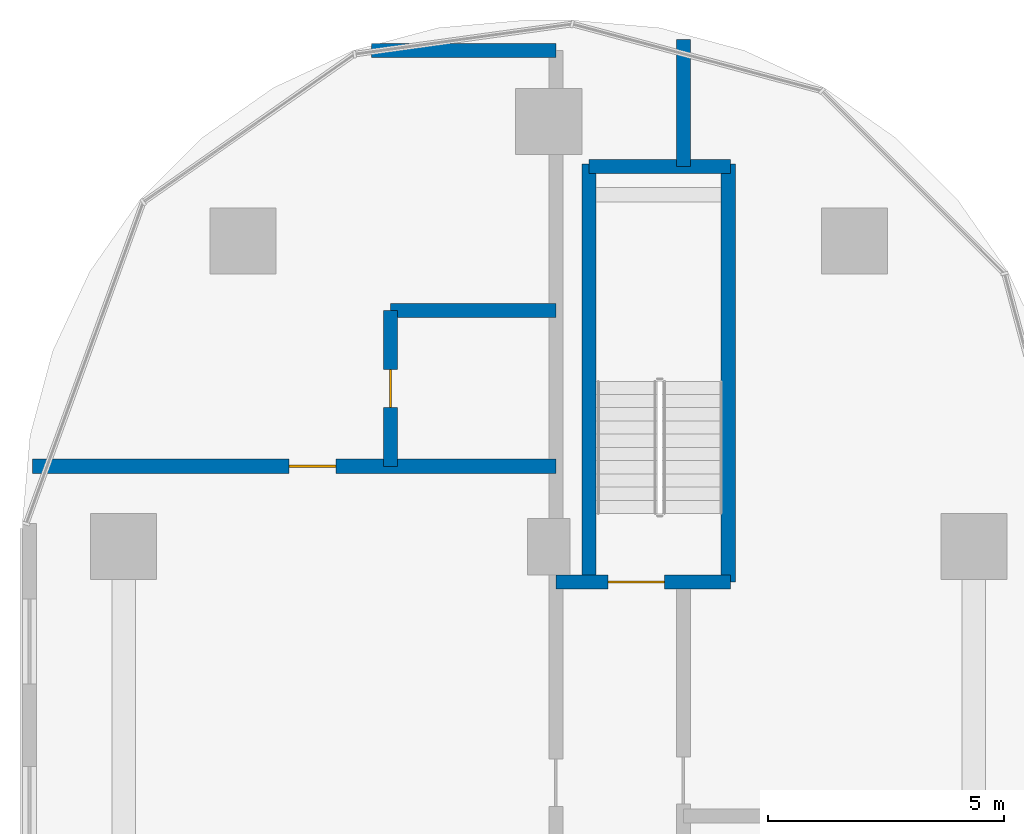
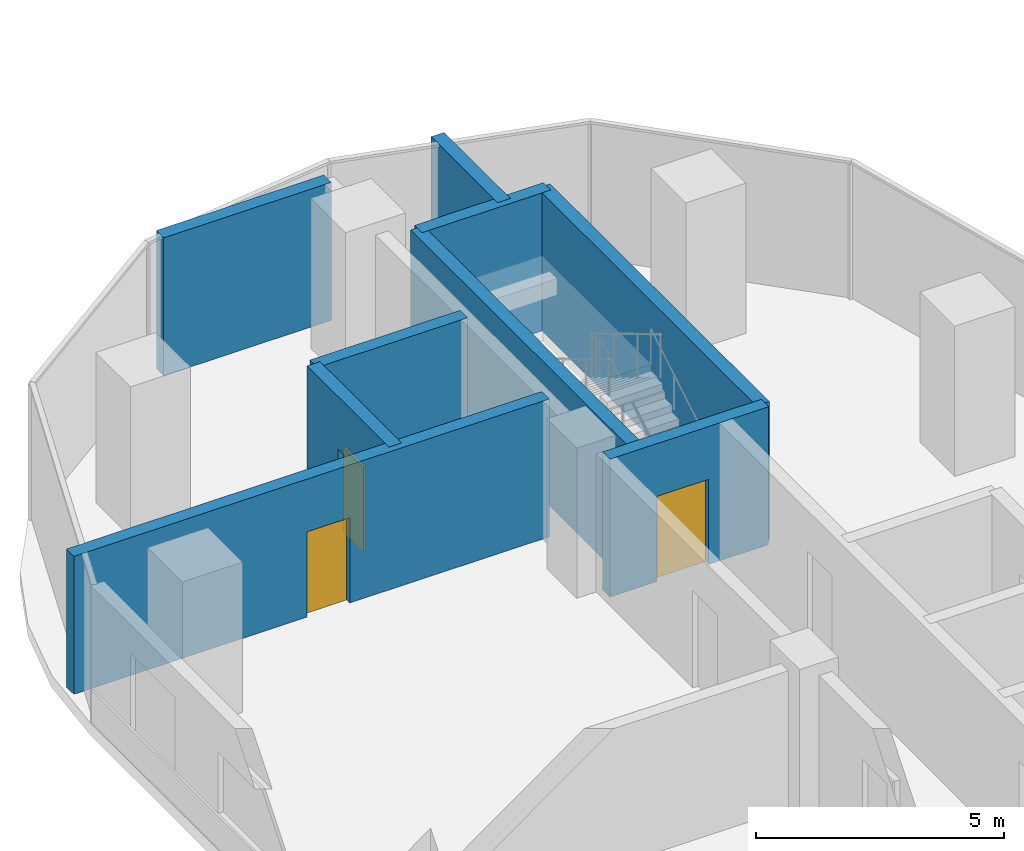
# One storey, part 20 of 32: 9 walls, 3 doors, 3 openings.
"""IFC4 building model written with IfcOpenShell, lengths in metres."""

from ifc_helpers import new_model, si_unit, direction, frame, frame_2d, origin, place, context, subcontext, project, spatial, rectangle, extrude, material, layer, layer_set, type_object, element, fill, save


model = new_model("IFC4")

# Units and contexts
model_context = context("Model", 3, precision=1e-05, world=origin(), true_north=direction((0.0, 1.0)))
body_context = subcontext(model_context, "Body", "Model", "MODEL_VIEW")
ifc_project = project(units=[si_unit("LENGTHUNIT", "METRE"), si_unit("AREAUNIT", "SQUARE_METRE"), si_unit("VOLUMEUNIT", "CUBIC_METRE"), si_unit("PLANEANGLEUNIT", "RADIAN"), si_unit("MASSUNIT", "GRAM", prefix="KILO")], contexts=[model_context])

# Site, building, storey
site_placement = place(None, origin())
site = spatial("IfcSite", under=ifc_project, at=site_placement, CompositionType="ELEMENT")
building_placement = place(site_placement, origin())
building = spatial("IfcBuilding", under=site, at=building_placement, Name="Ogive Portal Towers", CompositionType="ELEMENT")
storey_placement = place(building_placement, frame((0.0, 0.0, 55.699951171875)))
storey = spatial("IfcBuildingStorey", under=building, at=storey_placement, Name="L12", CompositionType="ELEMENT", Elevation=55.699951171875)

# Wall, opening, door
ifc_material_1 = material(Name="Concrete C50/60", Category="concrete")
ifc_layer_1 = layer(ifc_material_1, 0.300048828125)
ifc_layer_set_1 = layer_set([ifc_layer_1], Name="STAIR WALL 300 C50")
wall_type_1 = type_object("IfcWallType", Name="STAIR WALL 300 C50", PredefinedType="SHEAR", material=ifc_layer_set_1)
wall_1_placement = place(storey_placement, frame((40.64990234375, 65.75, 0.0), z_axis=(0.0, 0.0, 1.0), x_axis=(1.0, 0.0, 0.0)))
wall_1 = element("IfcWall", 1, at=wall_1_placement, inside=storey, type_object=wall_type_1, Name="Stair wall ST-A3 L12", PredefinedType="SHEAR", context=body_context, shape_type="SweptSolid", body=[
    extrude(rectangle(XDim=3.7001953125, YDim=0.300048828125, at=frame_2d((1.85009765625, 0.0))), origin(), (0.0, 0.0, 1.0), 3.400146484375),
])
opening_1_placement = place(wall_1_placement, frame((1.10009765625, 0.0, 0.0)))
opening_1 = element("IfcOpeningElement", 2, at=opening_1_placement, cuts=wall_1, Name="Opening D03-062", PredefinedType="OPENING", context=body_context, shape_type="SweptSolid", body=[
    extrude(rectangle(XDim=1.199951171875, YDim=2.10009765625, at=frame_2d((0.60009765625, 1.050048828125))), frame((0.0, 0.16015625, 0.0), z_axis=(0.0, -1.0, 0.0), x_axis=(1.0, 0.0, 0.0)), (0.0, 0.0, 1.0), 0.320068359375),
])
ifc_material_2 = material(Name="Steel fire door", Category="steel")
door_type_1 = type_object("IfcDoorType", Name="DT-STAIR-1200x2100-FD90S", OperationType="SINGLE_SWING_LEFT", PredefinedType="DOOR", material=ifc_material_2)
door_1_placement = place(opening_1_placement, origin())
door_1 = element("IfcDoor", 3, at=door_1_placement, inside=storey, type_object=door_type_1, Name="Door D03-062", OperationType="SINGLE_SWING_RIGHT", OverallHeight=2.10009765625, OverallWidth=1.199951171875, PredefinedType="DOOR", context=body_context, shape_type="SweptSolid", body=[
    extrude(rectangle(XDim=1.199951171875, YDim=2.10009765625, at=frame_2d((0.60009765625, 1.050048828125))), frame((0.0, 0.02490234375, 0.0), z_axis=(0.0, -1.0, 0.0), x_axis=(1.0, 0.0, 0.0)), (0.0, 0.0, 1.0), 0.050048828125),
])
fill(opening_1, door_1)

# Walls
wall_2_placement = place(storey_placement, frame((41.35009765625, 74.550048828125, 0.0), z_axis=(0.0, 0.0, 1.0), x_axis=(1.0, 0.0, 0.0)))
element("IfcWall", 4, at=wall_2_placement, inside=storey, type_object=wall_type_1, Name="Stair wall ST-A3 L12", PredefinedType="SHEAR", context=body_context, shape_type="SweptSolid", body=[
    extrude(rectangle(XDim=3.0, YDim=0.300048828125, at=frame_2d((1.5, 0.0))), origin(), (0.0, 0.0, 1.0), 3.400146484375),
])
for number, where, z_axis, x_axis, name in (
    (5, (41.35009765625, 65.75, 0.0), (0.0, 0.0, 1.0), (0.0, 1.0, 0.0), "Stair wall ST-A3 L12"),
    (6, (44.300048828125, 65.75, 0.0), (0.0, 0.0, 1.0), (0.0, 1.0, 0.0), "Stair wall ST-A3 L12"),
):
    element("IfcWall", number, at=place(storey_placement, frame(where, z_axis=z_axis, x_axis=x_axis)), inside=storey, type_object=wall_type_1, Name=name, PredefinedType="SHEAR", context=body_context, shape_type="SweptSolid", body=[
        extrude(rectangle(XDim=8.85009765625, YDim=0.300048828125, at=frame_2d((4.425048828125, 0.0))), origin(), (0.0, 0.0, 1.0), 3.400146484375),
    ])

# Wall, opening, door
ifc_material_3 = material(Name="Gypsum board partition on steel studs", Category="steel")
ifc_layer_2 = layer(ifc_material_3, 0.300048828125)
ifc_layer_set_2 = layer_set([ifc_layer_2], Name="WT-PART-300-EI 60")
wall_type_2 = type_object("IfcWallType", Name="WT-PART-300-EI 60", PredefinedType="PARTITIONING", material=ifc_layer_set_2)
wall_3_placement = place(storey_placement, frame((29.570068359375, 68.199951171875, 0.0), z_axis=(0.0, 0.0, 1.0), x_axis=(1.0, 0.0, 0.0)))
wall_3 = element("IfcWall", 7, at=wall_3_placement, inside=storey, type_object=wall_type_2, Name="Wall L12:w027", PredefinedType="PARTITIONING", context=body_context, shape_type="SweptSolid", body=[
    extrude(rectangle(XDim=11.079833984375, YDim=0.300048828125, at=frame_2d((5.5400390625, 0.0))), origin(), (0.0, 0.0, 1.0), 3.400146484375),
])
opening_2_placement = place(wall_3_placement, frame((5.429931640625, 0.0, 0.0)))
opening_2 = element("IfcOpeningElement", 8, at=opening_2_placement, cuts=wall_3, Name="Opening D03-056", PredefinedType="OPENING", context=body_context, shape_type="SweptSolid", body=[
    extrude(rectangle(XDim=1.0, YDim=2.10009765625, at=frame_2d((0.5, 1.050048828125))), frame((0.0, 0.16015625, 0.0), z_axis=(0.0, -1.0, 0.0), x_axis=(1.0, 0.0, 0.0)), (0.0, 0.0, 1.0), 0.320068359375),
])
door_type_2 = type_object("IfcDoorType", Name="DT-ENTRY-1000x2100-FD60S", OperationType="SINGLE_SWING_LEFT", PredefinedType="DOOR", material=ifc_material_2)
door_2_placement = place(opening_2_placement, origin())
door_2 = element("IfcDoor", 9, at=door_2_placement, inside=storey, type_object=door_type_2, Name="Door D03-056", OperationType="SINGLE_SWING_LEFT", OverallHeight=2.10009765625, OverallWidth=1.0, PredefinedType="DOOR", context=body_context, shape_type="SweptSolid", body=[
    extrude(rectangle(XDim=1.0, YDim=2.10009765625, at=frame_2d((0.5, 1.050048828125))), frame((0.0, 0.02490234375, 0.0), z_axis=(0.0, -1.0, 0.0), x_axis=(1.0, 0.0, 0.0)), (0.0, 0.0, 1.0), 0.050048828125),
])
fill(opening_2, door_2)

# Walls
wall_4_placement = place(storey_placement, frame((37.14990234375, 71.5, 0.0), z_axis=(0.0, 0.0, 1.0), x_axis=(1.0, 0.0, 0.0)))
element("IfcWall", 10, at=wall_4_placement, inside=storey, type_object=wall_type_2, Name="Wall L12:w028", PredefinedType="PARTITIONING", context=body_context, shape_type="SweptSolid", body=[
    extrude(rectangle(XDim=3.5, YDim=0.300048828125, at=frame_2d((1.75, 0.0))), origin(), (0.0, 0.0, 1.0), 3.400146484375),
])
wall_5_placement = place(storey_placement, frame((36.743896484375, 77.0, 0.0), z_axis=(0.0, 0.0, 1.0), x_axis=(1.0, 0.0, 0.0)))
element("IfcWall", 11, at=wall_5_placement, inside=storey, type_object=wall_type_2, Name="Wall L12:w030", PredefinedType="PARTITIONING", context=body_context, shape_type="SweptSolid", body=[
    extrude(rectangle(XDim=3.906005859375, YDim=0.300048828125, at=frame_2d((1.953125, 0.0))), origin(), (0.0, 0.0, 1.0), 3.400146484375),
])

# Wall, opening, door
wall_6_placement = place(storey_placement, frame((37.14990234375, 68.199951171875, 0.0), z_axis=(0.0, 0.0, 1.0), x_axis=(0.0, 1.0, 0.0)))
wall_6 = element("IfcWall", 12, at=wall_6_placement, inside=storey, type_object=wall_type_2, Name="Wall L12:w032", PredefinedType="PARTITIONING", context=body_context, shape_type="SweptSolid", body=[
    extrude(rectangle(XDim=3.300048828125, YDim=0.300048828125, at=frame_2d((1.64990234375, 0.0))), origin(), (0.0, 0.0, 1.0), 3.400146484375),
])
opening_3_placement = place(wall_6_placement, frame((1.25, 0.0, 0.0)))
opening_3 = element("IfcOpeningElement", 13, at=opening_3_placement, cuts=wall_6, Name="Opening D03-057", PredefinedType="OPENING", context=body_context, shape_type="SweptSolid", body=[
    extrude(rectangle(XDim=0.800048828125, YDim=2.10009765625, at=frame_2d((0.39990234375, 1.050048828125))), frame((0.0, 0.16015625, 0.0), z_axis=(0.0, -1.0, 0.0), x_axis=(1.0, 0.0, 0.0)), (0.0, 0.0, 1.0), 0.320068359375),
])
door_type_3 = type_object("IfcDoorType", Name="DT-BATH-800x2100-FD60S", OperationType="SINGLE_SWING_LEFT", PredefinedType="DOOR", material=ifc_material_2)
door_3_placement = place(opening_3_placement, origin())
door_3 = element("IfcDoor", 14, at=door_3_placement, inside=storey, type_object=door_type_3, Name="Door D03-057", OperationType="SINGLE_SWING_LEFT", OverallHeight=2.10009765625, OverallWidth=0.800048828125, PredefinedType="DOOR", context=body_context, shape_type="SweptSolid", body=[
    extrude(rectangle(XDim=0.800048828125, YDim=2.10009765625, at=frame_2d((0.39990234375, 1.050048828125))), frame((0.0, 0.02490234375, 0.0), z_axis=(0.0, -1.0, 0.0), x_axis=(1.0, 0.0, 0.0)), (0.0, 0.0, 1.0), 0.050048828125),
])
fill(opening_3, door_3)

# Wall
ifc_material_4 = material(Name="Concrete C40/50", Category="concrete")
ifc_layer_3 = layer(ifc_material_4, 0.300048828125)
ifc_layer_set_3 = layer_set([ifc_layer_3], Name="WT-SHAFT-300")
wall_type_3 = type_object("IfcWallType", Name="WT-SHAFT-300", PredefinedType="SOLIDWALL", material=ifc_layer_set_3)
wall_7_placement = place(storey_placement, frame((43.35009765625, 74.550048828125, 0.0), z_axis=(0.0, 0.0, 1.0), x_axis=(0.0, 1.0, 0.0)))
element("IfcWall", 15, at=wall_7_placement, inside=storey, type_object=wall_type_3, Name="Wall L12:w036", PredefinedType="SOLIDWALL", context=body_context, shape_type="SweptSolid", body=[
    extrude(rectangle(XDim=2.68505859375, YDim=0.300048828125, at=frame_2d((1.342529296875, 0.0))), origin(), (0.0, 0.0, 1.0), 3.400146484375),
])

save(model, "model.ifc")
